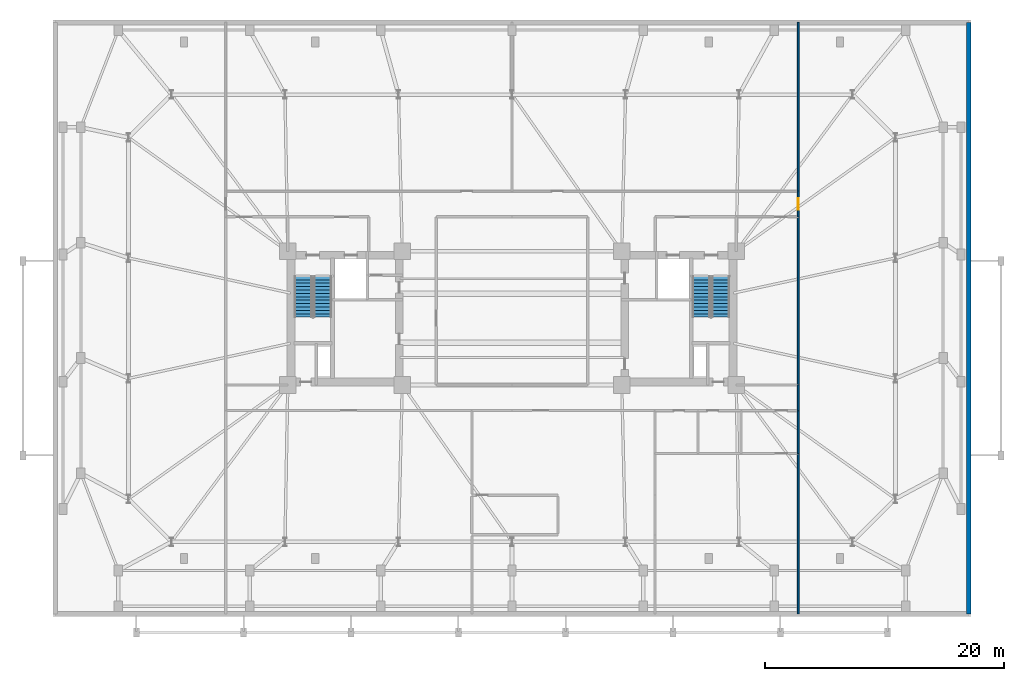
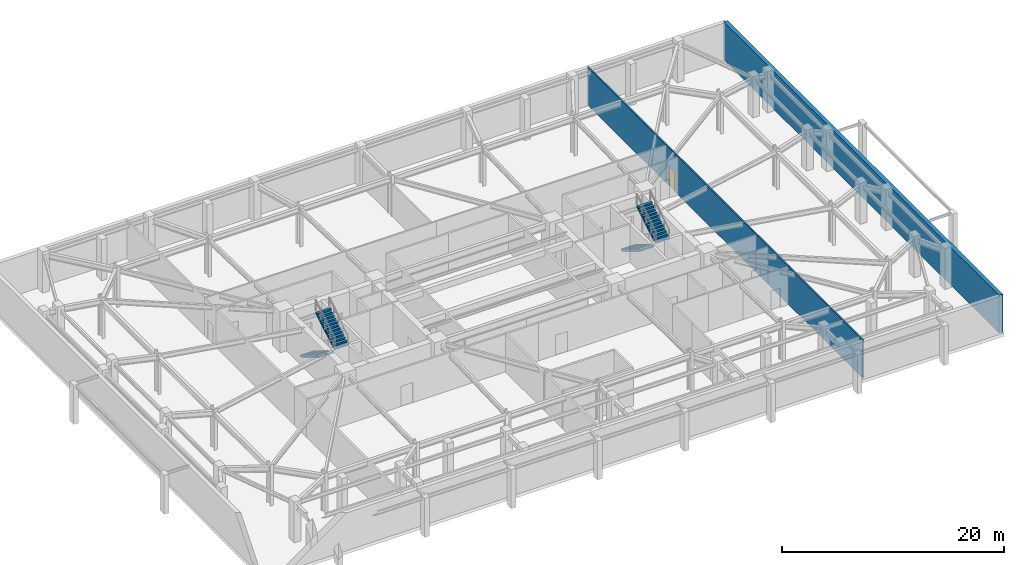
# One storey, part 12 of 14: 7 walls, 4 stair flights, 1 door, 1 opening, 2 elements without a shape of their own.
"""IFC4 building model written with IfcOpenShell, lengths in metres."""

from ifc_helpers import new_model, si_unit, direction, frame, frame_2d, origin, place, context, subcontext, project, spatial, polyline, rectangle, outline, extrude, material, layer, layer_set, type_object, element, fill, aggregate, save


model = new_model("IFC4")

# Units and contexts
model_context = context("Model", 3, precision=1e-05, world=origin(), true_north=direction((0.0, 1.0)))
body_context = subcontext(model_context, "Body", "Model", "MODEL_VIEW")
ifc_project = project(units=[si_unit("LENGTHUNIT", "METRE"), si_unit("AREAUNIT", "SQUARE_METRE"), si_unit("VOLUMEUNIT", "CUBIC_METRE"), si_unit("PLANEANGLEUNIT", "RADIAN"), si_unit("MASSUNIT", "GRAM", prefix="KILO")], contexts=[model_context])

# Site, building, storey
site_placement = place(None, origin())
site = spatial("IfcSite", under=ifc_project, at=site_placement, CompositionType="ELEMENT")
building_placement = place(site_placement, origin())
building = spatial("IfcBuilding", under=site, at=building_placement, Name="Qobustan Lattice House", CompositionType="ELEMENT")
storey_placement = place(building_placement, frame((0.0, 0.0, -4.5)))
storey = spatial("IfcBuildingStorey", under=building, at=storey_placement, Name="B01", CompositionType="ELEMENT", Elevation=-4.5)

# Wall, opening, door
ifc_material_1 = material(Name="Acoustic twin-stud gypsum partition", Category="gypsum")
ifc_layer_1 = layer(ifc_material_1, 0.14990234375)
ifc_layer_set_1 = layer_set([ifc_layer_1], Name="Acoustic twin-stud gypsum partition")
wall_type_1 = type_object("IfcWallType", Name="WAL-PART-150", PredefinedType="PARTITIONING", material=ifc_layer_set_1)
wall_1_placement = place(storey_placement, frame((24.0, 10.64990234375, 0.0), z_axis=(0.0, 0.0, 1.0), x_axis=(0.0, -1.0, 0.0)))
wall_1 = element("IfcWall", 1, at=wall_1_placement, inside=storey, type_object=wall_type_1, Name="B01 interior partition 26", PredefinedType="PARTITIONING", context=body_context, shape_type="SweptSolid", body=[
    extrude(rectangle(XDim=2.14990234375, YDim=0.14990234375, at=frame_2d((1.074951171875, 0.0))), origin(), (0.0, 0.0, 1.0), 4.159912109375),
])
opening_placement = place(wall_1_placement, frame((0.60009765625, 0.0, 0.0)))
opening = element("IfcOpeningElement", 2, at=opening_placement, cuts=wall_1, Name="Opening ID-01", PredefinedType="OPENING", context=body_context, shape_type="SweptSolid", body=[
    extrude(rectangle(XDim=0.949951171875, YDim=2.10009765625, at=frame_2d((0.47509765625, 1.050048828125))), frame((0.0, 0.0849609375, 0.0), z_axis=(0.0, -1.0, 0.0), x_axis=(1.0, 0.0, 0.0)), (0.0, 0.0, 1.0), 0.169921875),
])
ifc_material_2 = material(Name="Persian walnut timber and steel frame door", Category="steel")
door_type = type_object("IfcDoorType", Name="DOR-ROOM-950x2100", OperationType="NOTDEFINED", PredefinedType="DOOR", material=ifc_material_2)
door_placement = place(opening_placement, origin())
door = element("IfcDoor", 3, at=door_placement, inside=storey, type_object=door_type, Name="B01 North-east substructure corridor to Housekeeping and maintenance store door", OperationType="SINGLE_SWING_LEFT", OverallHeight=2.10009765625, OverallWidth=0.949951171875, PredefinedType="DOOR", context=body_context, shape_type="SweptSolid", body=[
    extrude(rectangle(XDim=0.949951171875, YDim=2.10009765625, at=frame_2d((0.47509765625, 1.050048828125))), frame((0.0, 0.02490234375, 0.0), z_axis=(0.0, -1.0, 0.0), x_axis=(1.0, 0.0, 0.0)), (0.0, 0.0, 1.0), 0.050048828125),
])
fill(opening, door)

# Walls
wall_2_placement = place(storey_placement, frame((24.0, -5.60009765625, 0.0), z_axis=(0.0, 0.0, 1.0), x_axis=(0.0, -1.0, 0.0)))
element("IfcWall", 4, at=wall_2_placement, inside=storey, type_object=wall_type_1, Name="B01 interior partition 35", PredefinedType="PARTITIONING", context=body_context, shape_type="SweptSolid", body=[
    extrude(rectangle(XDim=2.14990234375, YDim=0.14990234375, at=frame_2d((1.074951171875, 0.0))), origin(), (0.0, 0.0, 1.0), 4.159912109375),
])
wall_3_placement = place(storey_placement, frame((24.0, 24.800048828125, 0.0), z_axis=(0.0, 0.0, 1.0), x_axis=(0.0, -1.0, 0.0)))
element("IfcWall", 5, at=wall_3_placement, inside=storey, type_object=wall_type_1, Name="B01 interior partition 45", PredefinedType="PARTITIONING", context=body_context, shape_type="SweptSolid", body=[
    extrude(rectangle(XDim=14.150146484375, YDim=0.14990234375, at=frame_2d((7.0751953125, 0.0))), origin(), (0.0, 0.0, 1.0), 4.159912109375),
])
wall_4_placement = place(storey_placement, frame((24.0, 8.5, 0.0), z_axis=(0.0, 0.0, 1.0), x_axis=(0.0, -1.0, 0.0)))
element("IfcWall", 6, at=wall_4_placement, inside=storey, type_object=wall_type_1, Name="B01 interior partition 52", PredefinedType="PARTITIONING", context=body_context, shape_type="SweptSolid", body=[
    extrude(rectangle(XDim=14.10009765625, YDim=0.14990234375, at=frame_2d((7.050048828125, 0.0))), origin(), (0.0, 0.0, 1.0), 4.159912109375),
])
wall_5_placement = place(storey_placement, frame((24.0, -11.35009765625, 0.0), z_axis=(0.0, 0.0, 1.0), x_axis=(0.0, 1.0, 0.0)))
element("IfcWall", 7, at=wall_5_placement, inside=storey, type_object=wall_type_1, Name="B01 interior partition 53", PredefinedType="PARTITIONING", context=body_context, shape_type="SweptSolid", body=[
    extrude(rectangle(XDim=3.60009765625, YDim=0.14990234375, at=frame_2d((1.800048828125, 0.0))), origin(), (0.0, 0.0, 1.0), 4.159912109375),
])
wall_6_placement = place(storey_placement, frame((24.0, -24.800048828125, 0.0), z_axis=(0.0, 0.0, 1.0), x_axis=(0.0, 1.0, 0.0)))
element("IfcWall", 8, at=wall_6_placement, inside=storey, type_object=wall_type_1, Name="B01 interior partition 54", PredefinedType="PARTITIONING", context=body_context, shape_type="SweptSolid", body=[
    extrude(rectangle(XDim=13.449951171875, YDim=0.14990234375, at=frame_2d((6.72509765625, 0.0))), origin(), (0.0, 0.0, 1.0), 4.159912109375),
])
ifc_material_3 = material(Name="Concrete C50/60", Category="concrete")
ifc_layer_2 = layer(ifc_material_3, 0.39990234375)
ifc_layer_set_2 = layer_set([ifc_layer_2], Name="Concrete C50/60")
wall_type_2 = type_object("IfcWallType", Name="WAL-SUB-RET-400", PredefinedType="SOLIDWALL", material=ifc_layer_set_2)
wall_7_placement = place(storey_placement, frame((38.300048828125, 24.800048828125, 0.0), z_axis=(0.0, 0.0, 1.0), x_axis=(0.0, -1.0, 0.0)))
element("IfcWall", 9, at=wall_7_placement, inside=storey, type_object=wall_type_2, Name="B01 substructure retaining wall 3", PredefinedType="SOLIDWALL", context=body_context, shape_type="SweptSolid", body=[
    extrude(rectangle(XDim=49.60009765625, YDim=0.39990234375, at=frame_2d((24.800048828125, 0.0))), origin(), (0.0, 0.0, 1.0), 4.159912109375),
])

# Stair, stair flights
ifc_material_4 = material(Name="Concrete C40/50", Category="concrete")
stair_type = type_object("IfcStairType", Name="STR-CORE-DOGLEG", PredefinedType="HALF_TURN_STAIR", material=ifc_material_4)
stair_1_placement = place(storey_placement, origin())
stair_1 = element("IfcStair", 10, at=stair_1_placement, inside=storey, type_object=stair_type, Name="B01 West protected exit stair ST-W1", PredefinedType="HALF_TURN_STAIR")
ifc_material_5 = material(Name="Concrete C40/50", Category="concrete")
stair_flight_type = type_object("IfcStairFlightType", Name="SFL-RC-1500", PredefinedType="STRAIGHT", material=ifc_material_5)
stair_flight_1_placement = place(storey_placement, frame((-17.5, 3.5, 0.0), z_axis=(0.0, 0.0, 1.0), x_axis=(0.0, -1.0, 0.0)))
stair_flight_1 = element("IfcStairFlight", 11, at=stair_flight_1_placement, type_object=stair_flight_type, Name="ST-W1 flight 1", NumberOfRisers=13, NumberOfTreads=12, PredefinedType="STRAIGHT", RiserHeight=0.173076923, TreadLength=0.285, context=body_context, shape_type="SweptSolid", body=[
    extrude(outline(polyline([(0.0, 0.0), (0.0, 0.173095703125), (0.284912109375, 0.173095703125), (0.284912109375, 0.34619140625), (0.570068359375, 0.34619140625), (0.570068359375, 0.519287109375), (0.85498046875, 0.519287109375), (0.85498046875, 0.6923828125), (1.139892578125, 0.6923828125), (1.139892578125, 0.865478515625), (1.425048828125, 0.865478515625), (1.425048828125, 1.03857421875), (1.7099609375, 1.03857421875), (1.7099609375, 1.21142578125), (1.9951171875, 1.21142578125), (1.9951171875, 1.384521484375), (2.280029296875, 1.384521484375), (2.280029296875, 1.5576171875), (2.56494140625, 1.5576171875), (2.56494140625, 1.730712890625), (2.85009765625, 1.730712890625), (2.85009765625, 1.90380859375), (3.135009765625, 1.90380859375), (3.135009765625, 2.076904296875), (3.419921875, 2.076904296875), (3.419921875, 2.25), (3.419921875, 1.901611328125), (0.288818359375, 0.0), (0.0, 0.0)])), frame((0.0, 0.75, 0.0), z_axis=(0.0, -1.0, 0.0), x_axis=(1.0, 0.0, 0.0)), (0.0, 0.0, 1.0), 1.5),
])
stair_flight_2_placement = place(storey_placement, frame((-15.8798828125, 0.080078125, 2.25), z_axis=(0.0, 0.0, 1.0), x_axis=(0.0, 1.0, 0.0)))
stair_flight_2 = element("IfcStairFlight", 12, at=stair_flight_2_placement, type_object=stair_flight_type, Name="ST-W1 flight 2", NumberOfRisers=13, NumberOfTreads=12, PredefinedType="STRAIGHT", RiserHeight=0.173076923, TreadLength=0.285, context=body_context, shape_type="SweptSolid", body=[
    extrude(outline(polyline([(0.0, 0.0), (0.0, 0.173095703125), (0.284912109375, 0.173095703125), (0.284912109375, 0.34619140625), (0.570068359375, 0.34619140625), (0.570068359375, 0.519287109375), (0.85498046875, 0.519287109375), (0.85498046875, 0.6923828125), (1.139892578125, 0.6923828125), (1.139892578125, 0.865478515625), (1.425048828125, 0.865478515625), (1.425048828125, 1.03857421875), (1.7099609375, 1.03857421875), (1.7099609375, 1.21142578125), (1.9951171875, 1.21142578125), (1.9951171875, 1.384521484375), (2.280029296875, 1.384521484375), (2.280029296875, 1.5576171875), (2.56494140625, 1.5576171875), (2.56494140625, 1.730712890625), (2.85009765625, 1.730712890625), (2.85009765625, 1.90380859375), (3.135009765625, 1.90380859375), (3.135009765625, 2.076904296875), (3.419921875, 2.076904296875), (3.419921875, 2.25), (3.419921875, 1.901611328125), (0.288818359375, 0.0), (0.0, 0.0)])), frame((0.0, 0.75, 0.0), z_axis=(0.0, -1.0, 0.0), x_axis=(1.0, 0.0, 0.0)), (0.0, 0.0, 1.0), 1.5),
])
aggregate(stair_1, [stair_flight_1, stair_flight_2])

stair_2_placement = place(storey_placement, origin())
stair_2 = element("IfcStair", 13, at=stair_2_placement, inside=storey, type_object=stair_type, Name="B01 East protected exit stair ST-E1", PredefinedType="HALF_TURN_STAIR")
stair_flight_3_placement = place(storey_placement, frame((15.8798828125, 3.5, 0.0), z_axis=(0.0, 0.0, 1.0), x_axis=(0.0, -1.0, 0.0)))
stair_flight_3 = element("IfcStairFlight", 14, at=stair_flight_3_placement, type_object=stair_flight_type, Name="ST-E1 flight 1", NumberOfRisers=13, NumberOfTreads=12, PredefinedType="STRAIGHT", RiserHeight=0.173076923, TreadLength=0.285, context=body_context, shape_type="SweptSolid", body=[
    extrude(outline(polyline([(0.0, 0.0), (0.0, 0.173095703125), (0.284912109375, 0.173095703125), (0.284912109375, 0.34619140625), (0.570068359375, 0.34619140625), (0.570068359375, 0.519287109375), (0.85498046875, 0.519287109375), (0.85498046875, 0.6923828125), (1.139892578125, 0.6923828125), (1.139892578125, 0.865478515625), (1.425048828125, 0.865478515625), (1.425048828125, 1.03857421875), (1.7099609375, 1.03857421875), (1.7099609375, 1.21142578125), (1.9951171875, 1.21142578125), (1.9951171875, 1.384521484375), (2.280029296875, 1.384521484375), (2.280029296875, 1.5576171875), (2.56494140625, 1.5576171875), (2.56494140625, 1.730712890625), (2.85009765625, 1.730712890625), (2.85009765625, 1.90380859375), (3.135009765625, 1.90380859375), (3.135009765625, 2.076904296875), (3.419921875, 2.076904296875), (3.419921875, 2.25), (3.419921875, 1.901611328125), (0.288818359375, 0.0), (0.0, 0.0)])), frame((0.0, 0.75, 0.0), z_axis=(0.0, -1.0, 0.0), x_axis=(1.0, 0.0, 0.0)), (0.0, 0.0, 1.0), 1.5),
])
stair_flight_4_placement = place(storey_placement, frame((17.5, 0.080078125, 2.25), z_axis=(0.0, 0.0, 1.0), x_axis=(0.0, 1.0, 0.0)))
stair_flight_4 = element("IfcStairFlight", 15, at=stair_flight_4_placement, type_object=stair_flight_type, Name="ST-E1 flight 2", NumberOfRisers=13, NumberOfTreads=12, PredefinedType="STRAIGHT", RiserHeight=0.173076923, TreadLength=0.285, context=body_context, shape_type="SweptSolid", body=[
    extrude(outline(polyline([(0.0, 0.0), (0.0, 0.173095703125), (0.284912109375, 0.173095703125), (0.284912109375, 0.34619140625), (0.570068359375, 0.34619140625), (0.570068359375, 0.519287109375), (0.85498046875, 0.519287109375), (0.85498046875, 0.6923828125), (1.139892578125, 0.6923828125), (1.139892578125, 0.865478515625), (1.425048828125, 0.865478515625), (1.425048828125, 1.03857421875), (1.7099609375, 1.03857421875), (1.7099609375, 1.21142578125), (1.9951171875, 1.21142578125), (1.9951171875, 1.384521484375), (2.280029296875, 1.384521484375), (2.280029296875, 1.5576171875), (2.56494140625, 1.5576171875), (2.56494140625, 1.730712890625), (2.85009765625, 1.730712890625), (2.85009765625, 1.90380859375), (3.135009765625, 1.90380859375), (3.135009765625, 2.076904296875), (3.419921875, 2.076904296875), (3.419921875, 2.25), (3.419921875, 1.901611328125), (0.288818359375, 0.0), (0.0, 0.0)])), frame((0.0, 0.75, 0.0), z_axis=(0.0, -1.0, 0.0), x_axis=(1.0, 0.0, 0.0)), (0.0, 0.0, 1.0), 1.5),
])
aggregate(stair_2, [stair_flight_3, stair_flight_4])

save(model, "model.ifc")
